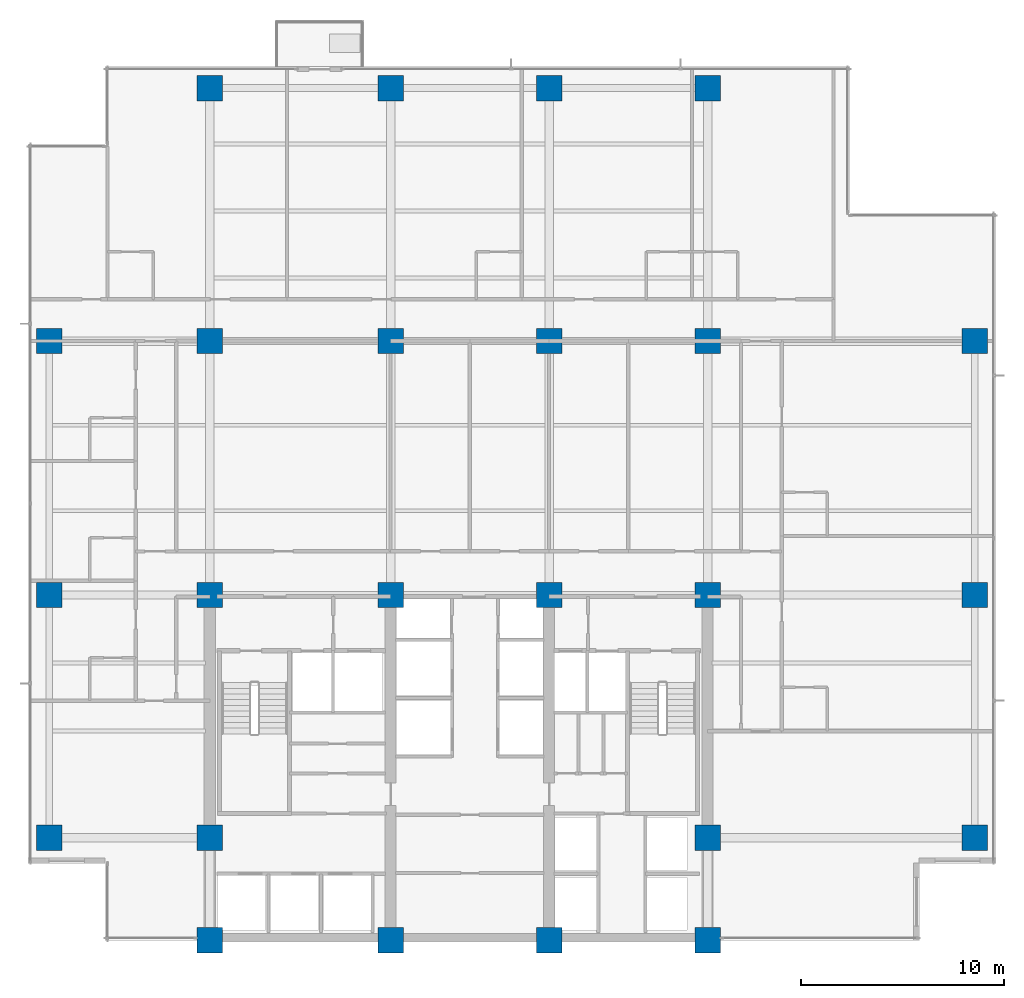
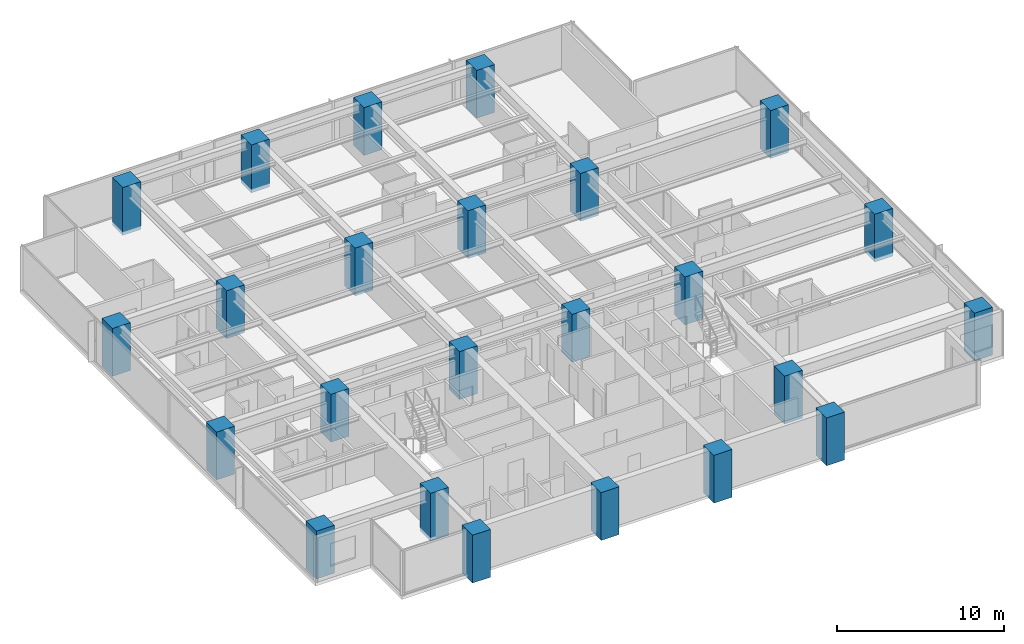
# One storey, part 1 of 17: 24 columns.
"""IFC4 building model written with IfcOpenShell, lengths in metres."""

from ifc_helpers import new_model, si_unit, direction, frame, origin, origin_2d, place, context, subcontext, project, spatial, rectangle, extrude, material, material_profile, profile_set, type_object, element, save


model = new_model("IFC4")

# Units and contexts
model_context = context("Model", 3, precision=1e-05, world=origin(), true_north=direction((0.0, 1.0)))
body_context = subcontext(model_context, "Body", "Model", "MODEL_VIEW")
ifc_project = project(units=[si_unit("LENGTHUNIT", "METRE"), si_unit("AREAUNIT", "SQUARE_METRE"), si_unit("VOLUMEUNIT", "CUBIC_METRE"), si_unit("PLANEANGLEUNIT", "RADIAN"), si_unit("MASSUNIT", "GRAM", prefix="KILO")], contexts=[model_context])

# Site, building, storey
site_placement = place(None, origin())
site = spatial("IfcSite", under=ifc_project, at=site_placement, CompositionType="ELEMENT")
building_placement = place(site_placement, origin())
building = spatial("IfcBuilding", under=site, at=building_placement, Name="Qalmaran Belvedere Hotel", CompositionType="ELEMENT")
storey_placement = place(building_placement, frame((0.0, 0.0, 91.699951171875)))
storey = spatial("IfcBuildingStorey", under=building, at=storey_placement, Name="L22", CompositionType="ELEMENT", Elevation=91.699951171875)

# Columns
ifc_material = material(Name="Concrete C60/75", Category="concrete")
ifc_material_profile = material_profile(ifc_material, rectangle(XDim=1.25, YDim=1.25, at=origin_2d()), Name="CC1250X1250")
ifc_profile_set = profile_set([ifc_material_profile], Name="Concrete C60/75")
column_type = type_object("IfcColumnType", Name="COL-Z2-CC1250", PredefinedType="COLUMN", material=ifc_profile_set)
for number, where, z_axis, x_axis, name in (
    (1, (20.300048828125, 3.5, -0.260009765625), (0.0, 0.0, 1.0), (1.0, 0.0, 0.0), "L22 Column C4B"),
    (2, (29.199951171875, 3.5, -0.260009765625), (0.0, 0.0, 1.0), (1.0, 0.0, 0.0), "L22 Column C5B"),
    (3, (37.0, 3.5, -0.260009765625), (0.0, 0.0, 1.0), (1.0, 0.0, 0.0), "L22 Column C6B"),
    (4, (44.800048828125, 3.5, -0.260009765625), (0.0, 0.0, 1.0), (1.0, 0.0, 0.0), "L22 Column C7B"),
    (5, (20.300048828125, 8.550048828125, -0.260009765625), (0.0, 0.0, 1.0), (1.0, 0.0, 0.0), "L22 Column C4C"),
    (6, (44.800048828125, 8.550048828125, -0.260009765625), (0.0, 0.0, 1.0), (1.0, 0.0, 0.0), "L22 Column C7C"),
    (7, (20.300048828125, 20.5, -0.260009765625), (0.0, 0.0, 1.0), (1.0, 0.0, 0.0), "L22 Column C4D"),
    (8, (29.199951171875, 20.5, -0.260009765625), (0.0, 0.0, 1.0), (1.0, 0.0, 0.0), "L22 Column C5D"),
    (9, (37.0, 20.5, -0.260009765625), (0.0, 0.0, 1.0), (1.0, 0.0, 0.0), "L22 Column C6D"),
    (10, (44.800048828125, 20.5, -0.260009765625), (0.0, 0.0, 1.0), (1.0, 0.0, 0.0), "L22 Column C7D"),
    (11, (20.300048828125, 33.0, -0.260009765625), (0.0, 0.0, 1.0), (1.0, 0.0, 0.0), "L22 Column C4F"),
    (12, (29.199951171875, 33.0, -0.260009765625), (0.0, 0.0, 1.0), (1.0, 0.0, 0.0), "L22 Column C5F"),
    (13, (37.0, 33.0, -0.260009765625), (0.0, 0.0, 1.0), (1.0, 0.0, 0.0), "L22 Column C6F"),
    (14, (44.800048828125, 33.0, -0.260009765625), (0.0, 0.0, 1.0), (1.0, 0.0, 0.0), "L22 Column C7F"),
    (15, (12.39990234375, 8.550048828125, -0.260009765625), (0.0, 0.0, 1.0), (1.0, 0.0, 0.0), "L22 Column CW1"),
    (16, (12.39990234375, 20.5, -0.260009765625), (0.0, 0.0, 1.0), (1.0, 0.0, 0.0), "L22 Column CW3"),
    (17, (12.39990234375, 33.0, -0.260009765625), (0.0, 0.0, 1.0), (1.0, 0.0, 0.0), "L22 Column CW4"),
    (18, (57.949951171875, 8.550048828125, -0.260009765625), (0.0, 0.0, 1.0), (1.0, 0.0, 0.0), "L22 Column CE1"),
    (19, (57.949951171875, 20.5, -0.260009765625), (0.0, 0.0, 1.0), (1.0, 0.0, 0.0), "L22 Column CE3"),
    (20, (57.949951171875, 33.0, -0.260009765625), (0.0, 0.0, 1.0), (1.0, 0.0, 0.0), "L22 Column CE4"),
    (21, (20.300048828125, 45.449951171875, -0.260009765625), (0.0, 0.0, 1.0), (1.0, 0.0, 0.0), "L22 Column CN1"),
    (22, (29.199951171875, 45.449951171875, -0.260009765625), (0.0, 0.0, 1.0), (1.0, 0.0, 0.0), "L22 Column CN2"),
    (23, (37.0, 45.449951171875, -0.260009765625), (0.0, 0.0, 1.0), (1.0, 0.0, 0.0), "L22 Column CN3"),
    (24, (44.800048828125, 45.449951171875, -0.260009765625), (0.0, 0.0, 1.0), (1.0, 0.0, 0.0), "L22 Column CN4"),
):
    element("IfcColumn", number, at=place(storey_placement, frame(where, z_axis=z_axis, x_axis=x_axis)), inside=storey, type_object=column_type, Name=name, PredefinedType="COLUMN", context=body_context, shape_type="SweptSolid", body=[
        extrude(rectangle(XDim=1.25, YDim=1.25, at=origin_2d()), origin(), (0.0, 0.0, 1.0), 3.5),
    ])

save(model, "model.ifc")
